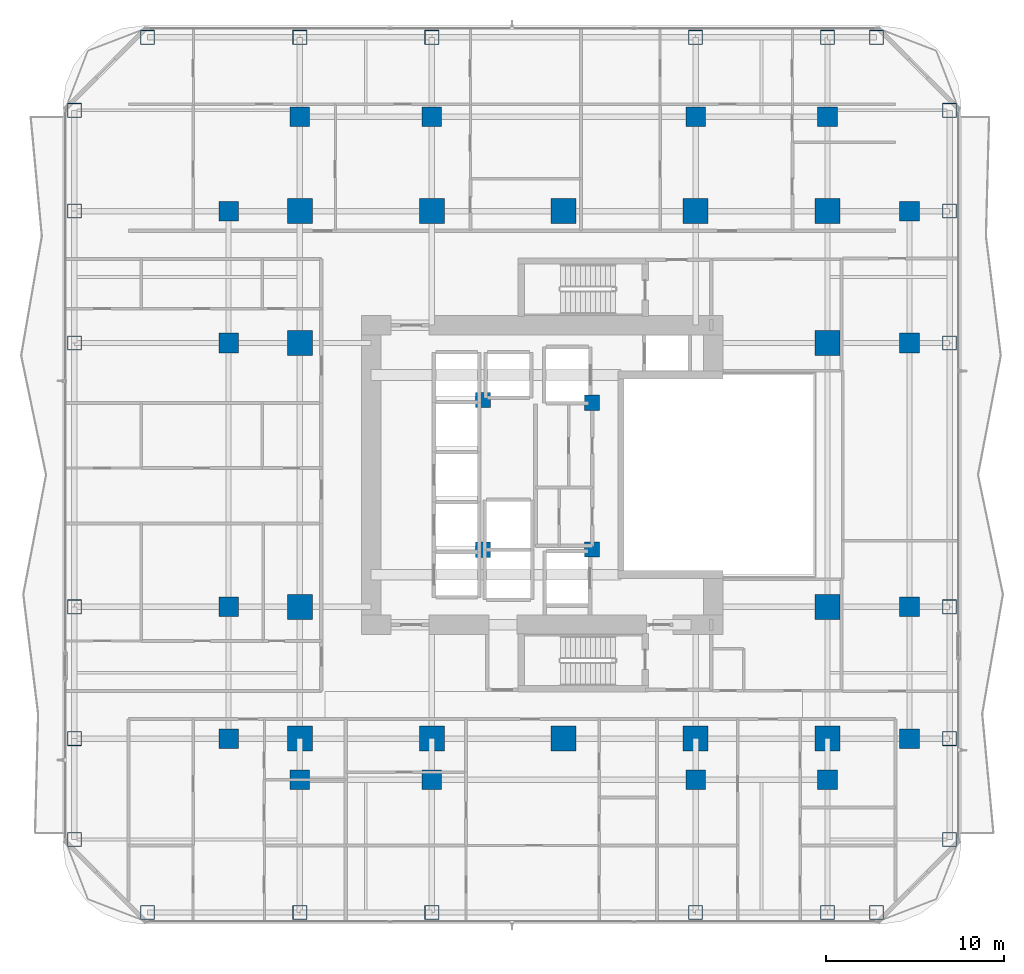
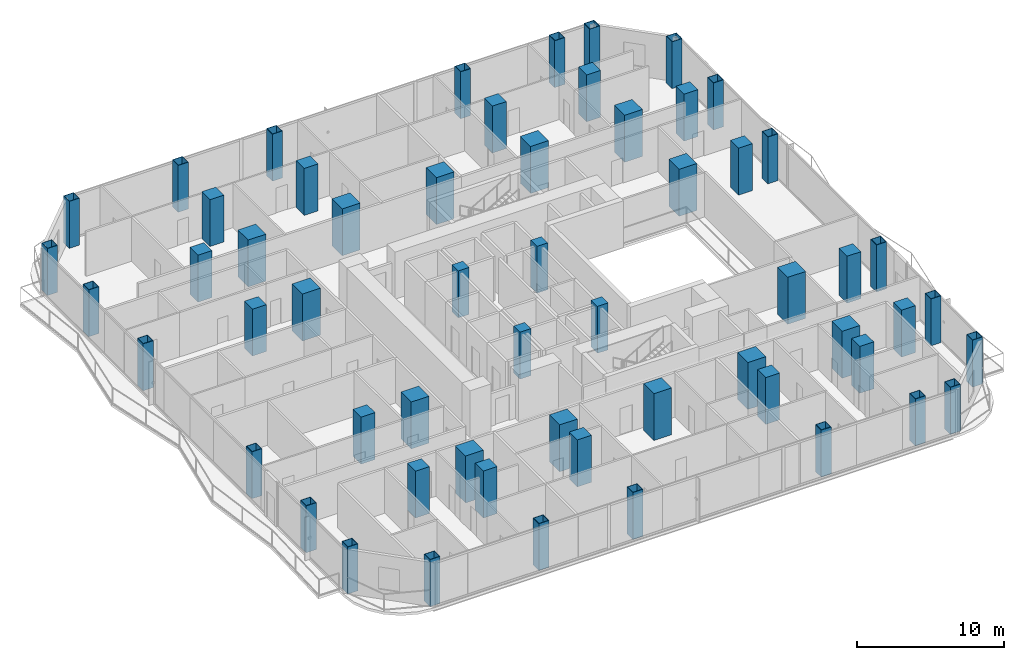
# One storey, part 1 of 30: 58 columns.
"""IFC4 building model written with IfcOpenShell, lengths in metres."""

import ifcopenshell
import ifcopenshell.guid

model = None  # the IFC model being written
_history = None  # IfcOwnerHistory: only IFC2X3 demands one
_inside = {}  # id of a spatial element -> (the spatial element, [elements in it])
_under = {}  # id of a project, library or spatial element -> (it, [spatial elements below it])
_declared = {}  # id of a project -> (the project, [libraries it declares])
_typed = {}  # id of a type object -> (the type object, [elements of that type])
_made_of = {}  # id of a material, layer set ... -> (it, [elements and type objects made of it])


def new_model(schema):
    """Start an empty IFC model of exactly this schema.

    Asked for "IFC4X3", IfcOpenShell would pick the latest addendum, in which some entities
    have other attributes; the version numbers below select the first issue.
    IFC2X3 requires an IfcOwnerHistory on every rooted entity: one is made here for all.
    """
    global model, _history
    if schema == "IFC4X3":
        model = ifcopenshell.file(schema_version=(4, 3, 0, 0))
    else:
        model = ifcopenshell.file(schema=schema)
    _inside.clear()
    _under.clear()
    _declared.clear()
    _typed.clear()
    _made_of.clear()
    _history = None
    if model.schema == "IFC2X3":
        org = make("IfcOrganization", Name="unknown")
        user = make(
            "IfcPersonAndOrganization",
            ThePerson=make("IfcPerson", FamilyName="unknown"),
            TheOrganization=org,
        )
        app = make(
            "IfcApplication",
            ApplicationDeveloper=org,
            Version="unknown",
            ApplicationFullName="unknown",
            ApplicationIdentifier="unknown",
        )
        _history = make(
            "IfcOwnerHistory",
            OwningUser=user,
            OwningApplication=app,
            ChangeAction="ADDED",
            CreationDate=0,
        )
    return model


def make(cls, **values):
    """One entity of the class cls with the attributes given. An attribute that is None is left unset."""
    return model.create_entity(
        cls, **{name: value for name, value in values.items() if value is not None}
    )


def rooted(cls, **values):
    """An entity with a GlobalId (a new one), such as an element, a storey or a relation."""
    return make(cls, GlobalId=ifcopenshell.guid.new(), OwnerHistory=_history, **values)


def si_unit(unit_type, name, prefix=None):
    """IfcSIUnit, for example si_unit("LENGTHUNIT", "METRE", prefix="MILLI")."""
    return make("IfcSIUnit", UnitType=unit_type, Prefix=prefix, Name=name)


def assignment(units):
    """IfcUnitAssignment: the units of a project."""
    return None if units is None else make("IfcUnitAssignment", Units=units)


def point(xyz):
    """IfcCartesianPoint."""
    return None if xyz is None else make("IfcCartesianPoint", Coordinates=xyz)


def direction(xyz):
    """IfcDirection."""
    return None if xyz is None else make("IfcDirection", DirectionRatios=xyz)


def frame(location, z_axis=None, x_axis=None):
    """IfcAxis2Placement3D, a coordinate frame: its origin and axes. An axis left out is left unset."""
    return make(
        "IfcAxis2Placement3D",
        Location=point(location),
        Axis=direction(z_axis),
        RefDirection=direction(x_axis),
    )


def frame_2d(location, x_axis=None):
    """IfcAxis2Placement2D, a coordinate frame in the plane: its origin and x axis."""
    return make(
        "IfcAxis2Placement2D", Location=point(location), RefDirection=direction(x_axis)
    )


def origin():
    """The frame at (0, 0, 0) with its axes left unset."""
    return frame((0.0, 0.0, 0.0))


def origin_2d():
    """The frame at (0, 0) in the plane with its x axis left unset."""
    return frame_2d((0.0, 0.0))


def place(relative_to, where):
    """IfcLocalPlacement: puts the frame where relative to a parent placement (None: the world)."""
    return make(
        "IfcLocalPlacement", PlacementRelTo=relative_to, RelativePlacement=where
    )


def context(
    kind, dimensions, precision=None, world=None, true_north=None, identifier=None
):
    """IfcGeometricRepresentationContext, for example the 3D "Model" context."""
    return make(
        "IfcGeometricRepresentationContext",
        ContextIdentifier=identifier,
        ContextType=kind,
        CoordinateSpaceDimension=dimensions,
        Precision=precision,
        WorldCoordinateSystem=world,
        TrueNorth=true_north,
    )


def subcontext(parent, identifier, kind, view, scale=None):
    """IfcGeometricRepresentationSubContext, for example "Body" below "Model"."""
    return make(
        "IfcGeometricRepresentationSubContext",
        ContextIdentifier=identifier,
        ContextType=kind,
        ParentContext=parent,
        TargetScale=scale,
        TargetView=view,
    )


def project(units=None, contexts=None):
    """IfcProject with its units and contexts."""
    return rooted(
        "IfcProject",
        Name="project",
        RepresentationContexts=contexts,
        UnitsInContext=assignment(units),
    )


def spatial(cls, under=None, at=None, **own):
    """A site, building, storey or space (cls), placed at a placement, below another one or the project."""
    s = rooted(cls, ObjectPlacement=at, **own)
    if under is not None:
        _under.setdefault(under.id(), (under, []))[1].append(s)
    return s


def profile(cls, at=None, kind="AREA", **sizes):
    """A parametric profile (cls). Its sizes go by their IFC names, for example OverallWidth=200.0."""
    return make(cls, ProfileType=kind, Position=at, **sizes)


def rectangle(**sizes):
    """IfcRectangleProfileDef."""
    return profile("IfcRectangleProfileDef", **sizes)


def hollow_rectangle(**sizes):
    """IfcRectangleHollowProfileDef."""
    return profile("IfcRectangleHollowProfileDef", **sizes)


def extrude(swept, where, along, depth):
    """IfcExtrudedAreaSolid: the profile swept, set in the frame where, extruded along a direction by depth."""
    return make(
        "IfcExtrudedAreaSolid",
        SweptArea=swept,
        Position=where,
        ExtrudedDirection=direction(along),
        Depth=depth,
    )


def shape(context_of_items, identifier, shape_type, items):
    """IfcShapeRepresentation: the items that make up one representation, for example the "Body"."""
    return make(
        "IfcShapeRepresentation",
        ContextOfItems=context_of_items,
        RepresentationIdentifier=identifier,
        RepresentationType=shape_type,
        Items=items,
    )


def material(Name=None, Category=None):
    """IfcMaterial."""
    return make("IfcMaterial", Name=Name, Category=Category)


def material_profile(
    of_material, cross_section, Name=None, Category=None, Priority=None
):
    """IfcMaterialProfile: a cross section and its material."""
    return make(
        "IfcMaterialProfile",
        Name=Name,
        Material=of_material,
        Profile=cross_section,
        Priority=Priority,
        Category=Category,
    )


def profile_set(profiles, Name=None, composite=None):
    """IfcMaterialProfileSet."""
    return make(
        "IfcMaterialProfileSet",
        Name=Name,
        MaterialProfiles=profiles,
        CompositeProfile=composite,
    )


def made_of(thing, what):
    """Note that an element or type object is made of a material, layer set ...; save() writes the relation."""
    if what is not None:
        _made_of.setdefault(what.id(), (what, []))[1].append(thing)
    return thing


def type_object(cls, material=None, **own):
    """A type object (cls), such as IfcWallType, which elements share."""
    return made_of(rooted(cls, **own), material)


def element(
    cls,
    number,
    at=None,
    inside=None,
    cuts=None,
    type_object=None,
    material=None,
    context=None,
    identifier="Body",
    shape_type=None,
    held_by="IfcProductDefinitionShape",
    body=None,
    shapes=None,
    **own,
):
    """One element of the class cls, such as IfcWall. Its Tag is "e" and its number.

    at: its placement. inside: the storey or other place that contains it. cuts: it is an
    opening in that element (IfcRelVoidsElement). A single representation is given by context,
    identifier, shape_type and body (its items); several are given by shapes. held_by: the class
    of the entity that holds the representations. save() writes the other relations.
    """
    e = rooted(cls, Tag="e%d" % number, ObjectPlacement=at, **own)
    if body is not None:
        shapes = [shape(context, identifier, shape_type, body)]
    if shapes is not None:
        e.Representation = make(held_by, Representations=shapes)
    if inside is not None:
        _inside.setdefault(inside.id(), (inside, []))[1].append(e)
    if cuts is not None:
        rooted(
            "IfcRelVoidsElement", RelatingBuildingElement=cuts, RelatedOpeningElement=e
        )
    if type_object is not None:
        _typed.setdefault(type_object.id(), (type_object, []))[1].append(e)
    return made_of(e, material)


def aggregate(whole, parts):
    """IfcRelAggregates: a whole, such as a stair, and the parts it consists of."""
    return rooted("IfcRelAggregates", RelatingObject=whole, RelatedObjects=parts)


def save(model, path):
    """Write the relations noted so far, then the file.

    IfcRelAggregates (storeys below a building ...), IfcRelContainedInSpatialStructure (elements
    in a storey), IfcRelDefinesByType, IfcRelAssociatesMaterial and IfcRelDeclares: one each for
    every whole, place, type object, material and project.
    """
    for whole, parts in _under.values():
        aggregate(whole, parts)
    for where, things in _inside.values():
        rooted(
            "IfcRelContainedInSpatialStructure",
            RelatedElements=things,
            RelatingStructure=where,
        )
    for kind, things in _typed.values():
        rooted("IfcRelDefinesByType", RelatedObjects=things, RelatingType=kind)
    for what, things in _made_of.values():
        rooted("IfcRelAssociatesMaterial", RelatedObjects=things, RelatingMaterial=what)
    for by, libraries in _declared.values():
        rooted("IfcRelDeclares", RelatingContext=by, RelatedDefinitions=libraries)
    model.write(path)


model = new_model("IFC4")

# Units and contexts
model_context = context("Model", 3, precision=1e-05, world=origin(), true_north=direction((0.0, 1.0)))
body_context = subcontext(model_context, "Body", "Model", "MODEL_VIEW")
ifc_project = project(units=[si_unit("LENGTHUNIT", "METRE"), si_unit("AREAUNIT", "SQUARE_METRE"), si_unit("VOLUMEUNIT", "CUBIC_METRE"), si_unit("PLANEANGLEUNIT", "RADIAN"), si_unit("MASSUNIT", "GRAM", prefix="KILO")], contexts=[model_context])

# Site, building, storey
site_placement = place(None, origin())
site = spatial("IfcSite", under=ifc_project, at=site_placement, CompositionType="ELEMENT")
building_placement = place(site_placement, origin())
building = spatial("IfcBuilding", under=site, at=building_placement, Name="Khorvyn Point Tower", CompositionType="ELEMENT")
storey_placement = place(building_placement, frame((0.0, 0.0, 57.89990234375)))
storey = spatial("IfcBuildingStorey", under=building, at=storey_placement, Name="L15", CompositionType="ELEMENT", Elevation=57.89990234375)

# Columns
ifc_material_1 = material(Name="Concrete C40/50", Category="concrete")
ifc_material_profile_1 = material_profile(ifc_material_1, rectangle(XDim=0.85009765625, YDim=0.85009765625, at=origin_2d()))
ifc_profile_set_1 = profile_set([ifc_material_profile_1], Name="Concrete C40/50 RC850x850")
column_type_1 = type_object("IfcColumnType", Name="Concrete C40/50 Column RC850x850", PredefinedType="COLUMN", material=ifc_profile_set_1)
for number, where, z_axis, x_axis, name in (
    (1, (-4.52001953125, -4.199951171875, 0.0), (0.0, 0.0, 1.0), (1.0, 0.0, 0.0), "L15 Crown Core Spine Column 1"),
    (2, (1.580078125, -4.179931640625, 0.0), (0.0, 0.0, 1.0), (1.0, 0.0, 0.0), "L15 Crown Core Spine Column 2"),
    (3, (1.580078125, 4.050048828125, 0.0), (0.0, 0.0, 1.0), (1.0, 0.0, 0.0), "L15 Crown Core Spine Column 3"),
    (4, (-4.52001953125, 4.199951171875, 0.0), (0.0, 0.0, 1.0), (1.0, 0.0, 0.0), "L15 Crown Core Spine Column 4"),
):
    element("IfcColumn", number, at=place(storey_placement, frame(where, z_axis=z_axis, x_axis=x_axis)), inside=storey, type_object=column_type_1, Name=name, PredefinedType="COLUMN", context=body_context, shape_type="SweptSolid", body=[
        extrude(rectangle(XDim=0.85009765625, YDim=0.85009765625, at=origin_2d()), origin(), (0.0, 0.0, 1.0), 3.900146484375),
    ])
ifc_material_2 = material(Name="Concrete C45/55", Category="concrete")
ifc_material_profile_2 = material_profile(ifc_material_2, rectangle(XDim=1.10009765625, YDim=1.10009765625, at=origin_2d()))
ifc_profile_set_2 = profile_set([ifc_material_profile_2], Name="Concrete C45/55 RC1100x1100")
column_type_2 = type_object("IfcColumnType", Name="Concrete C45/55 Column RC1100x1100", PredefinedType="COLUMN", material=ifc_profile_set_2)
for number, where, z_axis, x_axis, name in (
    (5, (-18.800048828125, -14.800048828125, 0.0), (0.0, 0.0, 1.0), (1.0, 0.0, 0.0), "L15 Intermediate Column ICW--14"),
    (6, (-18.800048828125, -7.39990234375, 0.0), (0.0, 0.0, 1.0), (1.0, 0.0, 0.0), "L15 Intermediate Column ICW--7"),
    (7, (-18.800048828125, 7.39990234375, 0.0), (0.0, 0.0, 1.0), (1.0, 0.0, 0.0), "L15 Intermediate Column ICW-7"),
    (8, (-18.800048828125, 14.800048828125, 0.0), (0.0, 0.0, 1.0), (1.0, 0.0, 0.0), "L15 Intermediate Column ICW-14"),
    (9, (19.39990234375, -14.800048828125, 0.0), (0.0, 0.0, 1.0), (1.0, 0.0, 0.0), "L15 Intermediate Column ICE--14"),
    (10, (19.39990234375, -7.39990234375, 0.0), (0.0, 0.0, 1.0), (1.0, 0.0, 0.0), "L15 Intermediate Column ICE--7"),
    (11, (19.39990234375, 7.39990234375, 0.0), (0.0, 0.0, 1.0), (1.0, 0.0, 0.0), "L15 Intermediate Column ICE-7"),
    (12, (19.39990234375, 14.800048828125, 0.0), (0.0, 0.0, 1.0), (1.0, 0.0, 0.0), "L15 Intermediate Column ICE-14"),
    (13, (-14.800048828125, -17.10009765625, 0.0), (0.0, 0.0, 1.0), (1.0, 0.0, 0.0), "L15 Intermediate Column ICS--14"),
    (14, (-7.39990234375, -17.10009765625, 0.0), (0.0, 0.0, 1.0), (1.0, 0.0, 0.0), "L15 Intermediate Column ICS--7"),
    (15, (7.39990234375, -17.10009765625, 0.0), (0.0, 0.0, 1.0), (1.0, 0.0, 0.0), "L15 Intermediate Column ICS-7"),
    (16, (14.800048828125, -17.10009765625, 0.0), (0.0, 0.0, 1.0), (1.0, 0.0, 0.0), "L15 Intermediate Column ICS-14"),
    (17, (-14.800048828125, 20.10009765625, 0.0), (0.0, 0.0, 1.0), (1.0, 0.0, 0.0), "L15 Intermediate Column ICN--14"),
    (18, (-7.39990234375, 20.10009765625, 0.0), (0.0, 0.0, 1.0), (1.0, 0.0, 0.0), "L15 Intermediate Column ICN--7"),
    (19, (7.39990234375, 20.10009765625, 0.0), (0.0, 0.0, 1.0), (1.0, 0.0, 0.0), "L15 Intermediate Column ICN-7"),
    (20, (14.800048828125, 20.10009765625, 0.0), (0.0, 0.0, 1.0), (1.0, 0.0, 0.0), "L15 Intermediate Column ICN-14"),
):
    element("IfcColumn", number, at=place(storey_placement, frame(where, z_axis=z_axis, x_axis=x_axis)), inside=storey, type_object=column_type_2, Name=name, PredefinedType="COLUMN", context=body_context, shape_type="SweptSolid", body=[
        extrude(rectangle(XDim=1.10009765625, YDim=1.10009765625, at=origin_2d()), origin(), (0.0, 0.0, 1.0), 3.900146484375),
    ])
ifc_material_3 = material(Name="Concrete C50/60", Category="concrete")
ifc_material_profile_3 = material_profile(ifc_material_3, rectangle(XDim=1.39990234375, YDim=1.39990234375, at=origin_2d()))
ifc_profile_set_3 = profile_set([ifc_material_profile_3], Name="Concrete C50/60 RC1400x1400")
column_type_3 = type_object("IfcColumnType", Name="Concrete C50/60 Column RC1400x1400", PredefinedType="COLUMN", material=ifc_profile_set_3)
for number, where, z_axis, x_axis, name in (
    (21, (-14.800048828125, -14.800048828125, 0.0), (0.0, 0.0, 1.0), (1.0, 0.0, 0.0), "L15 Mega-Column MC-01"),
    (22, (-7.39990234375, -14.800048828125, 0.0), (0.0, 0.0, 1.0), (1.0, 0.0, 0.0), "L15 Mega-Column MC-02"),
    (23, (0.0, -14.800048828125, 0.0), (0.0, 0.0, 1.0), (1.0, 0.0, 0.0), "L15 Mega-Column MC-03"),
    (24, (7.39990234375, -14.800048828125, 0.0), (0.0, 0.0, 1.0), (1.0, 0.0, 0.0), "L15 Mega-Column MC-04"),
    (25, (14.800048828125, -14.800048828125, 0.0), (0.0, 0.0, 1.0), (1.0, 0.0, 0.0), "L15 Mega-Column MC-05"),
    (26, (-14.800048828125, 14.800048828125, 0.0), (0.0, 0.0, 1.0), (1.0, 0.0, 0.0), "L15 Mega-Column MC-06"),
    (27, (-7.39990234375, 14.800048828125, 0.0), (0.0, 0.0, 1.0), (1.0, 0.0, 0.0), "L15 Mega-Column MC-07"),
    (28, (0.0, 14.800048828125, 0.0), (0.0, 0.0, 1.0), (1.0, 0.0, 0.0), "L15 Mega-Column MC-08"),
    (29, (7.39990234375, 14.800048828125, 0.0), (0.0, 0.0, 1.0), (1.0, 0.0, 0.0), "L15 Mega-Column MC-09"),
    (30, (14.800048828125, 14.800048828125, 0.0), (0.0, 0.0, 1.0), (1.0, 0.0, 0.0), "L15 Mega-Column MC-10"),
    (31, (-14.800048828125, -7.39990234375, 0.0), (0.0, 0.0, 1.0), (1.0, 0.0, 0.0), "L15 Mega-Column MC-11"),
    (32, (-14.800048828125, 7.39990234375, 0.0), (0.0, 0.0, 1.0), (1.0, 0.0, 0.0), "L15 Mega-Column MC-12"),
    (33, (14.800048828125, -7.39990234375, 0.0), (0.0, 0.0, 1.0), (1.0, 0.0, 0.0), "L15 Mega-Column MC-13"),
    (34, (14.800048828125, 7.39990234375, 0.0), (0.0, 0.0, 1.0), (1.0, 0.0, 0.0), "L15 Mega-Column MC-14"),
):
    element("IfcColumn", number, at=place(storey_placement, frame(where, z_axis=z_axis, x_axis=x_axis)), inside=storey, type_object=column_type_3, Name=name, PredefinedType="COLUMN", context=body_context, shape_type="SweptSolid", body=[
        extrude(rectangle(XDim=1.39990234375, YDim=1.39990234375, at=origin_2d()), origin(), (0.0, 0.0, 1.0), 3.900146484375),
    ])
ifc_material_4 = material(Name="Steel S450", Category="steel")
ifc_material_profile_4 = material_profile(ifc_material_4, hollow_rectangle(XDim=0.800048828125, YDim=0.800048828125, WallThickness=0.035888671875, at=origin_2d()))
ifc_profile_set_4 = profile_set([ifc_material_profile_4], Name="Steel S450 BOX800x800x36")
column_type_4 = type_object("IfcColumnType", Name="Steel S450 Structural Column BOX800x800x36", PredefinedType="COLUMN", material=ifc_profile_set_4)
for number, where, z_axis, x_axis, name in (
    (35, (-23.35009765625, -24.550048828125, 0.0), (0.0, 0.0, 1.0), (1.0, 0.0, 0.0), "L15 Perimeter Tube Column TC-01"),
    (36, (17.550048828125, -24.550048828125, 0.0), (0.0, 0.0, 1.0), (1.0, 0.0, 0.0), "L15 Perimeter Tube Column TC-02"),
    (37, (-23.35009765625, 24.550048828125, 0.0), (0.0, 0.0, 1.0), (1.0, 0.0, 0.0), "L15 Perimeter Tube Column TC-03"),
    (38, (17.550048828125, 24.550048828125, 0.0), (0.0, 0.0, 1.0), (1.0, 0.0, 0.0), "L15 Perimeter Tube Column TC-04"),
    (39, (-27.449951171875, -20.449951171875, 0.0), (0.0, 0.0, 1.0), (1.0, 0.0, 0.0), "L15 Perimeter Tube Column TC-05"),
    (40, (-27.449951171875, 20.449951171875, 0.0), (0.0, 0.0, 1.0), (1.0, 0.0, 0.0), "L15 Perimeter Tube Column TC-06"),
    (41, (21.64990234375, -20.449951171875, 0.0), (0.0, 0.0, 1.0), (1.0, 0.0, 0.0), "L15 Perimeter Tube Column TC-07"),
    (42, (21.64990234375, 20.449951171875, 0.0), (0.0, 0.0, 1.0), (1.0, 0.0, 0.0), "L15 Perimeter Tube Column TC-08"),
    (43, (-14.800048828125, -24.550048828125, 0.0), (0.0, 0.0, 1.0), (1.0, 0.0, 0.0), "L15 Perimeter Tube Column TC-09"),
    (44, (-14.800048828125, 24.550048828125, 0.0), (0.0, 0.0, 1.0), (1.0, 0.0, 0.0), "L15 Perimeter Tube Column TC-10"),
    (45, (-7.39990234375, -24.550048828125, 0.0), (0.0, 0.0, 1.0), (1.0, 0.0, 0.0), "L15 Perimeter Tube Column TC-11"),
    (46, (-7.39990234375, 24.550048828125, 0.0), (0.0, 0.0, 1.0), (1.0, 0.0, 0.0), "L15 Perimeter Tube Column TC-12"),
    (47, (7.39990234375, -24.550048828125, 0.0), (0.0, 0.0, 1.0), (1.0, 0.0, 0.0), "L15 Perimeter Tube Column TC-13"),
    (48, (7.39990234375, 24.550048828125, 0.0), (0.0, 0.0, 1.0), (1.0, 0.0, 0.0), "L15 Perimeter Tube Column TC-14"),
    (49, (14.800048828125, -24.550048828125, 0.0), (0.0, 0.0, 1.0), (1.0, 0.0, 0.0), "L15 Perimeter Tube Column TC-15"),
    (50, (14.800048828125, 24.550048828125, 0.0), (0.0, 0.0, 1.0), (1.0, 0.0, 0.0), "L15 Perimeter Tube Column TC-16"),
    (51, (-27.449951171875, -14.800048828125, 0.0), (0.0, 0.0, 1.0), (1.0, 0.0, 0.0), "L15 Perimeter Tube Column TC-17"),
    (52, (21.64990234375, -14.800048828125, 0.0), (0.0, 0.0, 1.0), (1.0, 0.0, 0.0), "L15 Perimeter Tube Column TC-18"),
    (53, (-27.449951171875, -7.39990234375, 0.0), (0.0, 0.0, 1.0), (1.0, 0.0, 0.0), "L15 Perimeter Tube Column TC-19"),
    (54, (21.64990234375, -7.39990234375, 0.0), (0.0, 0.0, 1.0), (1.0, 0.0, 0.0), "L15 Perimeter Tube Column TC-20"),
    (55, (-27.449951171875, 7.39990234375, 0.0), (0.0, 0.0, 1.0), (1.0, 0.0, 0.0), "L15 Perimeter Tube Column TC-21"),
    (56, (21.64990234375, 7.39990234375, 0.0), (0.0, 0.0, 1.0), (1.0, 0.0, 0.0), "L15 Perimeter Tube Column TC-22"),
    (57, (-27.449951171875, 14.800048828125, 0.0), (0.0, 0.0, 1.0), (1.0, 0.0, 0.0), "L15 Perimeter Tube Column TC-23"),
    (58, (21.64990234375, 14.800048828125, 0.0), (0.0, 0.0, 1.0), (1.0, 0.0, 0.0), "L15 Perimeter Tube Column TC-24"),
):
    element("IfcColumn", number, at=place(storey_placement, frame(where, z_axis=z_axis, x_axis=x_axis)), inside=storey, type_object=column_type_4, Name=name, PredefinedType="COLUMN", context=body_context, shape_type="SweptSolid", body=[
        extrude(hollow_rectangle(XDim=0.800048828125, YDim=0.800048828125, WallThickness=0.035888671875, at=origin_2d()), origin(), (0.0, 0.0, 1.0), 3.900146484375),
    ])

save(model, "model.ifc")
